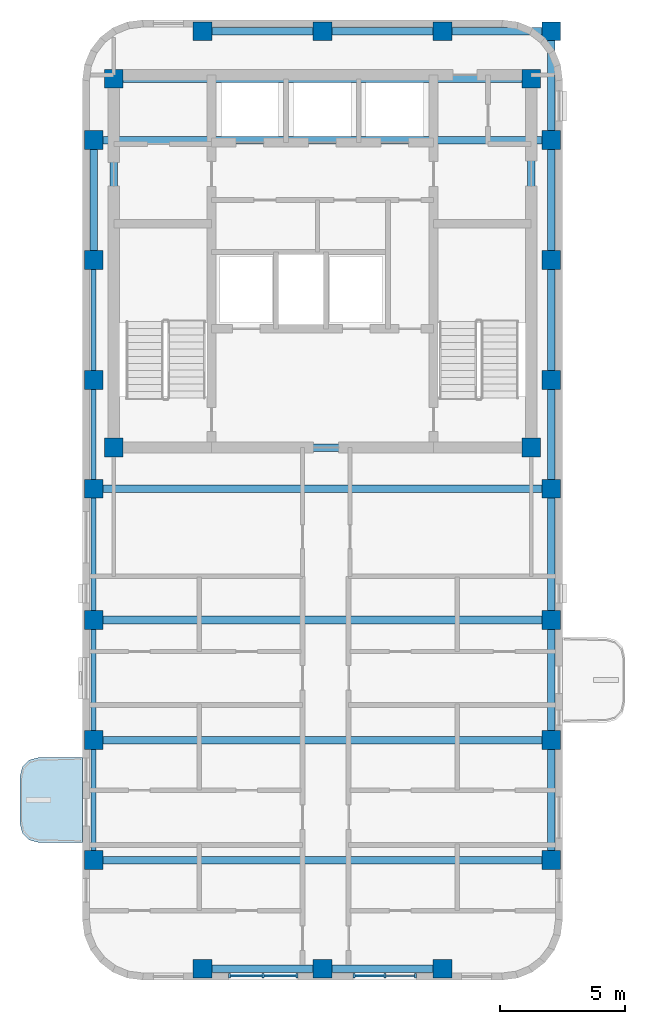
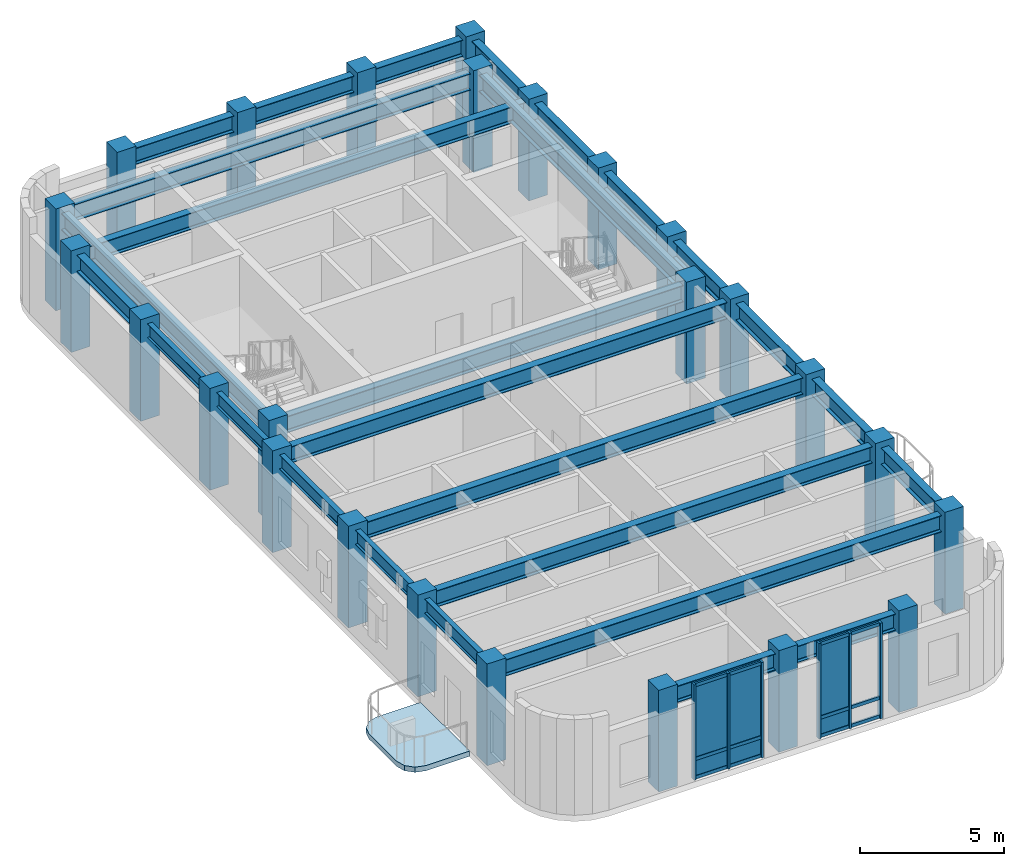
# One storey, part 1 of 6: 27 beams, 25 columns, 18 members, 6 plates, 1 slab, 2 elements without a shape of their own.
"""IFC4 building model written with IfcOpenShell, lengths in metres."""

from ifc_helpers import new_model, si_unit, direction, frame, origin, origin_2d, place, context, subcontext, project, spatial, polyline, rectangle, i_section, outline, extrude, material, layer, layer_set, material_profile, profile_set, type_object, element, aggregate, save


model = new_model("IFC4")

# Units and contexts
model_context = context("Model", 3, precision=1e-05, world=origin(), true_north=direction((0.0, 1.0)))
body_context = subcontext(model_context, "Body", "Model", "MODEL_VIEW")
ifc_project = project(units=[si_unit("LENGTHUNIT", "METRE"), si_unit("AREAUNIT", "SQUARE_METRE"), si_unit("VOLUMEUNIT", "CUBIC_METRE"), si_unit("PLANEANGLEUNIT", "RADIAN"), si_unit("MASSUNIT", "GRAM", prefix="KILO")], contexts=[model_context])

# Site, building, storey
site_placement = place(None, origin())
site = spatial("IfcSite", under=ifc_project, at=site_placement, CompositionType="ELEMENT")
building_placement = place(site_placement, origin())
building = spatial("IfcBuilding", under=site, at=building_placement, Name="Orvandelia Arch Residences", CompositionType="ELEMENT")
storey_placement = place(building_placement, frame((0.0, 0.0, 252.699951171875)))
storey = spatial("IfcBuildingStorey", under=building, at=storey_placement, Name="L66", CompositionType="ELEMENT", Elevation=252.699951171875)

# Columns
ifc_material_1 = material(Name="Concrete C50/60", Category="concrete")
ifc_material_profile_1 = material_profile(ifc_material_1, rectangle(XDim=0.75, YDim=0.75, at=origin_2d()), Name="Concrete C50/60", Category="concrete")
ifc_profile_set_1 = profile_set([ifc_material_profile_1], Name="Concrete C50/60")
column_type = type_object("IfcColumnType", Name="COL-TWR-750", PredefinedType="COLUMN", material=ifc_profile_set_1)
for number, where, z_axis, x_axis, name in (
    (1, (5.25, 14.39990234375, 0.0), (0.0, 0.0, 1.0), (1.0, 0.0, 0.0), "Structural Column L66-W-W-144"),
    (2, (5.25, 19.199951171875, 0.0), (0.0, 0.0, 1.0), (1.0, 0.0, 0.0), "Structural Column L66-W-W-192"),
    (3, (5.25, 24.0, 0.0), (0.0, 0.0, 1.0), (1.0, 0.0, 0.0), "Structural Column L66-W-W-240"),
    (4, (5.25, 29.25, 0.0), (0.0, 0.0, 1.0), (1.0, 0.0, 0.0), "Structural Column L66-W-W-292"),
    (5, (5.25, 33.60009765625, 0.0), (0.0, 0.0, 1.0), (1.0, 0.0, 0.0), "Structural Column L66-W-W-336"),
    (6, (5.25, 38.39990234375, 0.0), (0.0, 0.0, 1.0), (1.0, 0.0, 0.0), "Structural Column L66-W-W-384"),
    (7, (5.25, 43.199951171875, 0.0), (0.0, 0.0, 1.0), (1.0, 0.0, 0.0), "Structural Column L66-W-W-432"),
    (8, (6.050048828125, 30.89990234375, 0.0), (0.0, 0.0, 1.0), (1.0, 0.0, 0.0), "Structural Column L66-CR-SW"),
    (9, (6.050048828125, 45.64990234375, 0.0), (0.0, 0.0, 1.0), (1.0, 0.0, 0.0), "Structural Column L66-CR-NW"),
    (10, (9.60009765625, 10.050048828125, 0.0), (0.0, 0.0, 1.0), (1.0, 0.0, 0.0), "Structural Column L66-W-S-96"),
    (11, (9.60009765625, 47.550048828125, 0.0), (0.0, 0.0, 1.0), (1.0, 0.0, 0.0), "Structural Column L66-W-N-96"),
    (12, (14.39990234375, 10.050048828125, 0.0), (0.0, 0.0, 1.0), (1.0, 0.0, 0.0), "Structural Column L66-W-S-144"),
    (13, (14.39990234375, 47.550048828125, 0.0), (0.0, 0.0, 1.0), (1.0, 0.0, 0.0), "Structural Column L66-W-N-144"),
    (14, (19.199951171875, 10.050048828125, 0.0), (0.0, 0.0, 1.0), (1.0, 0.0, 0.0), "Structural Column L66-W-S-192"),
    (15, (19.199951171875, 47.550048828125, 0.0), (0.0, 0.0, 1.0), (1.0, 0.0, 0.0), "Structural Column L66-W-N-192"),
    (16, (22.75, 30.89990234375, 0.0), (0.0, 0.0, 1.0), (1.0, 0.0, 0.0), "Structural Column L66-CR-SE"),
    (17, (22.75, 45.64990234375, 0.0), (0.0, 0.0, 1.0), (1.0, 0.0, 0.0), "Structural Column L66-CR-NE"),
    (18, (23.550048828125, 14.39990234375, 0.0), (0.0, 0.0, 1.0), (1.0, 0.0, 0.0), "Structural Column L66-W-E-144"),
    (19, (23.550048828125, 19.199951171875, 0.0), (0.0, 0.0, 1.0), (1.0, 0.0, 0.0), "Structural Column L66-W-E-192"),
    (20, (23.550048828125, 24.0, 0.0), (0.0, 0.0, 1.0), (1.0, 0.0, 0.0), "Structural Column L66-W-E-240"),
    (21, (23.550048828125, 29.25, 0.0), (0.0, 0.0, 1.0), (1.0, 0.0, 0.0), "Structural Column L66-W-E-292"),
    (22, (23.550048828125, 33.60009765625, 0.0), (0.0, 0.0, 1.0), (1.0, 0.0, 0.0), "Structural Column L66-W-E-336"),
    (23, (23.550048828125, 38.39990234375, 0.0), (0.0, 0.0, 1.0), (1.0, 0.0, 0.0), "Structural Column L66-W-E-384"),
    (24, (23.550048828125, 43.199951171875, 0.0), (0.0, 0.0, 1.0), (1.0, 0.0, 0.0), "Structural Column L66-W-E-432"),
    (25, (23.550048828125, 47.550048828125, 0.0), (0.0, 0.0, 1.0), (1.0, 0.0, 0.0), "Structural Column L66-W-N-235"),
):
    element("IfcColumn", number, at=place(storey_placement, frame(where, z_axis=z_axis, x_axis=x_axis)), inside=storey, type_object=column_type, Name=name, PredefinedType="COLUMN", context=body_context, shape_type="SweptSolid", body=[
        extrude(rectangle(XDim=0.75, YDim=0.75, at=origin_2d()), origin(), (0.0, 0.0, 1.0), 4.300048828125),
    ])

# Beams
ifc_material_2 = material(Name="Structural Steel SM355 (355 MPa)", Category="steel")
ifc_material_profile_2 = material_profile(ifc_material_2, i_section(OverallWidth=0.300048828125, OverallDepth=0.699951171875, WebThickness=0.012939453125, FlangeThickness=0.02392578125, FilletRadius=0.02392578125, at=origin_2d()), Name="Structural Steel SM355 (355 MPa)", Category="steel")
ifc_profile_set_2 = profile_set([ifc_material_profile_2], Name="Structural Steel SM355 (355 MPa)")
beam_type_1 = type_object("IfcBeamType", Name="BM-GRD-H700", PredefinedType="BEAM", material=ifc_profile_set_2)
beam_1_placement = place(storey_placement, frame((5.25, 38.39990234375, 3.68994140625), z_axis=(0.0, 1.0, 0.0), x_axis=(-1.0, 0.0, 0.0)))
element("IfcBeam", 26, at=beam_1_placement, inside=storey, type_object=beam_type_1, Name="Structural Frame Beam L66-NS-006", PredefinedType="BEAM", context=body_context, shape_type="SweptSolid", body=[
    extrude(i_section(OverallWidth=0.300048828125, OverallDepth=0.699951171875, WebThickness=0.012939453125, FlangeThickness=0.02392578125, FilletRadius=0.02392578125, at=origin_2d()), origin(), (0.0, 0.0, 1.0), 4.800048828125),
])
for number, where, z_axis, x_axis, name in (
    (27, (6.050048828125, 30.89990234375, 3.68994140625), (0.0, 1.0, 0.0), (-1.0, 0.0, 0.0), "Structural Frame Beam L66-NS-007"),
    (28, (22.75, 30.89990234375, 3.68994140625), (0.0, 1.0, 0.0), (-1.0, 0.0, 0.0), "Structural Frame Beam L66-NS-008"),
):
    element("IfcBeam", number, at=place(storey_placement, frame(where, z_axis=z_axis, x_axis=x_axis)), inside=storey, type_object=beam_type_1, Name=name, PredefinedType="BEAM", context=body_context, shape_type="SweptSolid", body=[
        extrude(i_section(OverallWidth=0.300048828125, OverallDepth=0.699951171875, WebThickness=0.012939453125, FlangeThickness=0.02392578125, FilletRadius=0.02392578125, at=origin_2d()), origin(), (0.0, 0.0, 1.0), 14.75),
    ])
for number, where, z_axis, x_axis, name in (
    (29, (23.550048828125, 14.39990234375, 3.68994140625), (0.0, 1.0, 0.0), (-1.0, 0.0, 0.0), "Structural Frame Beam L66-NS-009"),
    (30, (23.550048828125, 19.199951171875, 3.68994140625), (0.0, 1.0, 0.0), (-1.0, 0.0, 0.0), "Structural Frame Beam L66-NS-010"),
):
    element("IfcBeam", number, at=place(storey_placement, frame(where, z_axis=z_axis, x_axis=x_axis)), inside=storey, type_object=beam_type_1, Name=name, PredefinedType="BEAM", context=body_context, shape_type="SweptSolid", body=[
        extrude(i_section(OverallWidth=0.300048828125, OverallDepth=0.699951171875, WebThickness=0.012939453125, FlangeThickness=0.02392578125, FilletRadius=0.02392578125, at=origin_2d()), origin(), (0.0, 0.0, 1.0), 4.800048828125),
    ])
beam_2_placement = place(storey_placement, frame((23.550048828125, 24.0, 3.68994140625), z_axis=(0.0, 1.0, 0.0), x_axis=(-1.0, 0.0, 0.0)))
element("IfcBeam", 31, at=beam_2_placement, inside=storey, type_object=beam_type_1, Name="Structural Frame Beam L66-NS-011", PredefinedType="BEAM", context=body_context, shape_type="SweptSolid", body=[
    extrude(i_section(OverallWidth=0.300048828125, OverallDepth=0.699951171875, WebThickness=0.012939453125, FlangeThickness=0.02392578125, FilletRadius=0.02392578125, at=origin_2d()), origin(), (0.0, 0.0, 1.0), 5.25),
])
beam_3_placement = place(storey_placement, frame((23.550048828125, 29.25, 3.68994140625), z_axis=(0.0, 1.0, 0.0), x_axis=(-1.0, 0.0, 0.0)))
element("IfcBeam", 32, at=beam_3_placement, inside=storey, type_object=beam_type_1, Name="Structural Frame Beam L66-NS-012", PredefinedType="BEAM", context=body_context, shape_type="SweptSolid", body=[
    extrude(i_section(OverallWidth=0.300048828125, OverallDepth=0.699951171875, WebThickness=0.012939453125, FlangeThickness=0.02392578125, FilletRadius=0.02392578125, at=origin_2d()), origin(), (0.0, 0.0, 1.0), 4.35009765625),
])
beam_4_placement = place(storey_placement, frame((23.550048828125, 33.60009765625, 3.68994140625), z_axis=(0.0, 1.0, 0.0), x_axis=(-1.0, 0.0, 0.0)))
element("IfcBeam", 33, at=beam_4_placement, inside=storey, type_object=beam_type_1, Name="Structural Frame Beam L66-NS-013", PredefinedType="BEAM", context=body_context, shape_type="SweptSolid", body=[
    extrude(i_section(OverallWidth=0.300048828125, OverallDepth=0.699951171875, WebThickness=0.012939453125, FlangeThickness=0.02392578125, FilletRadius=0.02392578125, at=origin_2d()), origin(), (0.0, 0.0, 1.0), 4.7998046875),
])
beam_5_placement = place(storey_placement, frame((23.550048828125, 38.39990234375, 3.68994140625), z_axis=(0.0, 1.0, 0.0), x_axis=(-1.0, 0.0, 0.0)))
element("IfcBeam", 34, at=beam_5_placement, inside=storey, type_object=beam_type_1, Name="Structural Frame Beam L66-NS-014", PredefinedType="BEAM", context=body_context, shape_type="SweptSolid", body=[
    extrude(i_section(OverallWidth=0.300048828125, OverallDepth=0.699951171875, WebThickness=0.012939453125, FlangeThickness=0.02392578125, FilletRadius=0.02392578125, at=origin_2d()), origin(), (0.0, 0.0, 1.0), 4.800048828125),
])
beam_6_placement = place(storey_placement, frame((23.550048828125, 43.199951171875, 3.68994140625), z_axis=(0.0, 1.0, 0.0), x_axis=(-1.0, 0.0, 0.0)))
element("IfcBeam", 35, at=beam_6_placement, inside=storey, type_object=beam_type_1, Name="Structural Frame Beam L66-NS-015", PredefinedType="BEAM", context=body_context, shape_type="SweptSolid", body=[
    extrude(i_section(OverallWidth=0.300048828125, OverallDepth=0.699951171875, WebThickness=0.012939453125, FlangeThickness=0.02392578125, FilletRadius=0.02392578125, at=origin_2d()), origin(), (0.0, 0.0, 1.0), 4.35009765625),
])
beam_7_placement = place(storey_placement, frame((9.60009765625, 10.050048828125, 3.68994140625), z_axis=(1.0, 0.0, 0.0), x_axis=(0.0, 1.0, 0.0)))
element("IfcBeam", 36, at=beam_7_placement, inside=storey, type_object=beam_type_1, Name="Structural Frame Girder L66-EW-016", PredefinedType="BEAM", context=body_context, shape_type="SweptSolid", body=[
    extrude(i_section(OverallWidth=0.300048828125, OverallDepth=0.699951171875, WebThickness=0.012939453125, FlangeThickness=0.02392578125, FilletRadius=0.02392578125, at=origin_2d()), origin(), (0.0, 0.0, 1.0), 4.7998046875),
])
beam_8_placement = place(storey_placement, frame((14.39990234375, 10.050048828125, 3.68994140625), z_axis=(1.0, 0.0, 0.0), x_axis=(0.0, 1.0, 0.0)))
element("IfcBeam", 37, at=beam_8_placement, inside=storey, type_object=beam_type_1, Name="Structural Frame Girder L66-EW-017", PredefinedType="BEAM", context=body_context, shape_type="SweptSolid", body=[
    extrude(i_section(OverallWidth=0.300048828125, OverallDepth=0.699951171875, WebThickness=0.012939453125, FlangeThickness=0.02392578125, FilletRadius=0.02392578125, at=origin_2d()), origin(), (0.0, 0.0, 1.0), 4.800048828125),
])
for number, where, z_axis, x_axis, name in (
    (38, (5.25, 14.39990234375, 3.68994140625), (1.0, 0.0, 0.0), (0.0, 1.0, 0.0), "Structural Frame Girder L66-EW-018"),
    (39, (5.25, 19.199951171875, 3.68994140625), (1.0, 0.0, 0.0), (0.0, 1.0, 0.0), "Structural Frame Girder L66-EW-019"),
    (40, (5.25, 24.0, 3.68994140625), (1.0, 0.0, 0.0), (0.0, 1.0, 0.0), "Structural Frame Girder L66-EW-020"),
    (41, (5.25, 29.25, 3.68994140625), (1.0, 0.0, 0.0), (0.0, 1.0, 0.0), "Structural Frame Girder L66-EW-021"),
):
    element("IfcBeam", number, at=place(storey_placement, frame(where, z_axis=z_axis, x_axis=x_axis)), inside=storey, type_object=beam_type_1, Name=name, PredefinedType="BEAM", context=body_context, shape_type="SweptSolid", body=[
        extrude(i_section(OverallWidth=0.300048828125, OverallDepth=0.699951171875, WebThickness=0.012939453125, FlangeThickness=0.02392578125, FilletRadius=0.02392578125, at=origin_2d()), origin(), (0.0, 0.0, 1.0), 18.300048828125),
    ])
beam_9_placement = place(storey_placement, frame((6.050048828125, 30.89990234375, 3.68994140625), z_axis=(1.0, 0.0, 0.0), x_axis=(0.0, 1.0, 0.0)))
element("IfcBeam", 42, at=beam_9_placement, inside=storey, type_object=beam_type_1, Name="Structural Frame Girder L66-EW-022", PredefinedType="BEAM", context=body_context, shape_type="SweptSolid", body=[
    extrude(i_section(OverallWidth=0.300048828125, OverallDepth=0.699951171875, WebThickness=0.012939453125, FlangeThickness=0.02392578125, FilletRadius=0.02392578125, at=origin_2d()), origin(), (0.0, 0.0, 1.0), 16.699951171875),
])
beam_10_placement = place(storey_placement, frame((5.25, 43.199951171875, 3.68994140625), z_axis=(1.0, 0.0, 0.0), x_axis=(0.0, 1.0, 0.0)))
element("IfcBeam", 43, at=beam_10_placement, inside=storey, type_object=beam_type_1, Name="Structural Frame Girder L66-EW-025", PredefinedType="BEAM", context=body_context, shape_type="SweptSolid", body=[
    extrude(i_section(OverallWidth=0.300048828125, OverallDepth=0.699951171875, WebThickness=0.012939453125, FlangeThickness=0.02392578125, FilletRadius=0.02392578125, at=origin_2d()), origin(), (0.0, 0.0, 1.0), 18.300048828125),
])
beam_11_placement = place(storey_placement, frame((6.050048828125, 45.64990234375, 3.68994140625), z_axis=(1.0, 0.0, 0.0), x_axis=(0.0, 1.0, 0.0)))
element("IfcBeam", 44, at=beam_11_placement, inside=storey, type_object=beam_type_1, Name="Structural Frame Girder L66-EW-026", PredefinedType="BEAM", context=body_context, shape_type="SweptSolid", body=[
    extrude(i_section(OverallWidth=0.300048828125, OverallDepth=0.699951171875, WebThickness=0.012939453125, FlangeThickness=0.02392578125, FilletRadius=0.02392578125, at=origin_2d()), origin(), (0.0, 0.0, 1.0), 16.699951171875),
])
beam_12_placement = place(storey_placement, frame((9.60009765625, 47.550048828125, 3.68994140625), z_axis=(1.0, 0.0, 0.0), x_axis=(0.0, 1.0, 0.0)))
element("IfcBeam", 45, at=beam_12_placement, inside=storey, type_object=beam_type_1, Name="Structural Frame Girder L66-EW-027", PredefinedType="BEAM", context=body_context, shape_type="SweptSolid", body=[
    extrude(i_section(OverallWidth=0.300048828125, OverallDepth=0.699951171875, WebThickness=0.012939453125, FlangeThickness=0.02392578125, FilletRadius=0.02392578125, at=origin_2d()), origin(), (0.0, 0.0, 1.0), 4.7998046875),
])
beam_13_placement = place(storey_placement, frame((14.39990234375, 47.550048828125, 3.68994140625), z_axis=(1.0, 0.0, 0.0), x_axis=(0.0, 1.0, 0.0)))
element("IfcBeam", 46, at=beam_13_placement, inside=storey, type_object=beam_type_1, Name="Structural Frame Girder L66-EW-028", PredefinedType="BEAM", context=body_context, shape_type="SweptSolid", body=[
    extrude(i_section(OverallWidth=0.300048828125, OverallDepth=0.699951171875, WebThickness=0.012939453125, FlangeThickness=0.02392578125, FilletRadius=0.02392578125, at=origin_2d()), origin(), (0.0, 0.0, 1.0), 4.800048828125),
])
beam_14_placement = place(storey_placement, frame((19.199951171875, 47.550048828125, 3.68994140625), z_axis=(1.0, 0.0, 0.0), x_axis=(0.0, 1.0, 0.0)))
element("IfcBeam", 47, at=beam_14_placement, inside=storey, type_object=beam_type_1, Name="Structural Frame Girder L66-EW-029", PredefinedType="BEAM", context=body_context, shape_type="SweptSolid", body=[
    extrude(i_section(OverallWidth=0.300048828125, OverallDepth=0.699951171875, WebThickness=0.012939453125, FlangeThickness=0.02392578125, FilletRadius=0.02392578125, at=origin_2d()), origin(), (0.0, 0.0, 1.0), 4.35009765625),
])
ifc_material_profile_3 = material_profile(ifc_material_2, i_section(OverallWidth=0.199951171875, OverallDepth=0.60009765625, WebThickness=0.010986328125, FlangeThickness=0.01708984375, FilletRadius=0.02197265625, at=origin_2d()), Name="Structural Steel SM355 (355 MPa)", Category="steel")
ifc_profile_set_3 = profile_set([ifc_material_profile_3], Name="Structural Steel SM355 (355 MPa)")
beam_type_2 = type_object("IfcBeamType", Name="BM-SPN-H600", PredefinedType="SPANDREL", material=ifc_profile_set_3)
for number, where, z_axis, x_axis, name in (
    (48, (5.25, 14.39990234375, 3.739990234375), (0.0, 1.0, 0.0), (-1.0, 0.0, 0.0), "Structural Frame Beam L66-NS-001"),
    (49, (5.25, 19.199951171875, 3.739990234375), (0.0, 1.0, 0.0), (-1.0, 0.0, 0.0), "Structural Frame Beam L66-NS-002"),
):
    element("IfcBeam", number, at=place(storey_placement, frame(where, z_axis=z_axis, x_axis=x_axis)), inside=storey, type_object=beam_type_2, Name=name, PredefinedType="SPANDREL", context=body_context, shape_type="SweptSolid", body=[
        extrude(i_section(OverallWidth=0.199951171875, OverallDepth=0.60009765625, WebThickness=0.010986328125, FlangeThickness=0.01708984375, FilletRadius=0.02197265625, at=origin_2d()), origin(), (0.0, 0.0, 1.0), 4.800048828125),
    ])
beam_15_placement = place(storey_placement, frame((5.25, 24.0, 3.739990234375), z_axis=(0.0, 1.0, 0.0), x_axis=(-1.0, 0.0, 0.0)))
element("IfcBeam", 50, at=beam_15_placement, inside=storey, type_object=beam_type_2, Name="Structural Frame Beam L66-NS-003", PredefinedType="SPANDREL", context=body_context, shape_type="SweptSolid", body=[
    extrude(i_section(OverallWidth=0.199951171875, OverallDepth=0.60009765625, WebThickness=0.010986328125, FlangeThickness=0.01708984375, FilletRadius=0.02197265625, at=origin_2d()), origin(), (0.0, 0.0, 1.0), 5.25),
])
beam_16_placement = place(storey_placement, frame((5.25, 29.25, 3.739990234375), z_axis=(0.0, 1.0, 0.0), x_axis=(-1.0, 0.0, 0.0)))
element("IfcBeam", 51, at=beam_16_placement, inside=storey, type_object=beam_type_2, Name="Structural Frame Beam L66-NS-004", PredefinedType="SPANDREL", context=body_context, shape_type="SweptSolid", body=[
    extrude(i_section(OverallWidth=0.199951171875, OverallDepth=0.60009765625, WebThickness=0.010986328125, FlangeThickness=0.01708984375, FilletRadius=0.02197265625, at=origin_2d()), origin(), (0.0, 0.0, 1.0), 4.35009765625),
])
beam_17_placement = place(storey_placement, frame((5.25, 33.60009765625, 3.739990234375), z_axis=(0.0, 1.0, 0.0), x_axis=(-1.0, 0.0, 0.0)))
element("IfcBeam", 52, at=beam_17_placement, inside=storey, type_object=beam_type_2, Name="Structural Frame Beam L66-NS-005", PredefinedType="SPANDREL", context=body_context, shape_type="SweptSolid", body=[
    extrude(i_section(OverallWidth=0.199951171875, OverallDepth=0.60009765625, WebThickness=0.010986328125, FlangeThickness=0.01708984375, FilletRadius=0.02197265625, at=origin_2d()), origin(), (0.0, 0.0, 1.0), 4.7998046875),
])

# Curtain wall, members
ifc_material_3 = material(Name="Anodised Bronze Curtain Wall Assembly")
curtain_wall_type = type_object("IfcCurtainWallType", Name="CW-SYS5-CORNER", PredefinedType="NOTDEFINED", material=ifc_material_3)
curtain_wall_1_placement = place(storey_placement, origin())
curtain_wall_1 = element("IfcCurtainWall", 53, at=curtain_wall_1_placement, inside=storey, type_object=curtain_wall_type, Name="Feature Bay Winter-Garden Curtain Wall L66 1", PredefinedType="NOTDEFINED")
ifc_material_4 = material(Name="Anodised Aluminium Alloy 6063-T6", Category="aluminium")
ifc_material_profile_4 = material_profile(ifc_material_4, rectangle(XDim=0.080078125, YDim=0.179931640625, at=origin_2d()), Name="Anodised Aluminium Alloy 6063-T6", Category="aluminium")
ifc_profile_set_4 = profile_set([ifc_material_profile_4], Name="Anodised Aluminium Alloy 6063-T6")
member_type_1 = type_object("IfcMemberType", Name="CW-MULLION-80x160", PredefinedType="MULLION", material=ifc_profile_set_4)
member_1_placement = place(storey_placement, frame((10.679931640625, 9.760009765625, 0.0), z_axis=(0.0, 0.0, 1.0), x_axis=(1.0, 0.0, 0.0)))
member_1 = element("IfcMember", 54, at=member_1_placement, type_object=member_type_1, Name="Curtain Wall Mullion CW-L66-1-M1", PredefinedType="MULLION", context=body_context, shape_type="SweptSolid", body=[
    extrude(rectangle(XDim=0.080078125, YDim=0.179931640625, at=origin_2d()), origin(), (0.0, 0.0, 1.0), 4.0400390625),
])
member_2_placement = place(storey_placement, frame((12.030029296875, 9.760009765625, 0.0), z_axis=(0.0, 0.0, 1.0), x_axis=(1.0, 0.0, 0.0)))
member_2 = element("IfcMember", 55, at=member_2_placement, type_object=member_type_1, Name="Curtain Wall Mullion CW-L66-1-M2", PredefinedType="MULLION", context=body_context, shape_type="SweptSolid", body=[
    extrude(rectangle(XDim=0.080078125, YDim=0.179931640625, at=origin_2d()), origin(), (0.0, 0.0, 1.0), 4.0400390625),
])
member_3_placement = place(storey_placement, frame((13.3798828125, 9.760009765625, 0.0), z_axis=(0.0, 0.0, 1.0), x_axis=(1.0, 0.0, 0.0)))
member_3 = element("IfcMember", 56, at=member_3_placement, type_object=member_type_1, Name="Curtain Wall Mullion CW-L66-1-M3", PredefinedType="MULLION", context=body_context, shape_type="SweptSolid", body=[
    extrude(rectangle(XDim=0.080078125, YDim=0.179931640625, at=origin_2d()), origin(), (0.0, 0.0, 1.0), 4.0400390625),
])

curtain_wall_2_placement = place(storey_placement, origin())
curtain_wall_2 = element("IfcCurtainWall", 57, at=curtain_wall_2_placement, inside=storey, type_object=curtain_wall_type, Name="Feature Bay Winter-Garden Curtain Wall L66 2", PredefinedType="NOTDEFINED")
member_4_placement = place(storey_placement, frame((15.669921875, 9.760009765625, 0.0), z_axis=(0.0, 0.0, 1.0), x_axis=(1.0, 0.0, 0.0)))
member_4 = element("IfcMember", 58, at=member_4_placement, type_object=member_type_1, Name="Curtain Wall Mullion CW-L66-2-M1", PredefinedType="MULLION", context=body_context, shape_type="SweptSolid", body=[
    extrude(rectangle(XDim=0.080078125, YDim=0.179931640625, at=origin_2d()), origin(), (0.0, 0.0, 1.0), 4.0400390625),
])
member_5_placement = place(storey_placement, frame((16.89501953125, 9.760009765625, 0.0), z_axis=(0.0, 0.0, 1.0), x_axis=(1.0, 0.0, 0.0)))
member_5 = element("IfcMember", 59, at=member_5_placement, type_object=member_type_1, Name="Curtain Wall Mullion CW-L66-2-M2", PredefinedType="MULLION", context=body_context, shape_type="SweptSolid", body=[
    extrude(rectangle(XDim=0.080078125, YDim=0.179931640625, at=origin_2d()), origin(), (0.0, 0.0, 1.0), 4.0400390625),
])
member_6_placement = place(storey_placement, frame((18.1201171875, 9.760009765625, 0.0), z_axis=(0.0, 0.0, 1.0), x_axis=(1.0, 0.0, 0.0)))
member_6 = element("IfcMember", 60, at=member_6_placement, type_object=member_type_1, Name="Curtain Wall Mullion CW-L66-2-M3", PredefinedType="MULLION", context=body_context, shape_type="SweptSolid", body=[
    extrude(rectangle(XDim=0.080078125, YDim=0.179931640625, at=origin_2d()), origin(), (0.0, 0.0, 1.0), 4.0400390625),
])

# Member
ifc_material_profile_5 = material_profile(ifc_material_4, rectangle(XDim=0.080078125, YDim=0.139892578125, at=origin_2d()), Name="Anodised Aluminium Alloy 6063-T6", Category="aluminium")
ifc_profile_set_5 = profile_set([ifc_material_profile_5], Name="Anodised Aluminium Alloy 6063-T6")
member_type_2 = type_object("IfcMemberType", Name="CW-TRANSOM-80x140", PredefinedType="USERDEFINED", material=ifc_profile_set_5)
member_7_placement = place(storey_placement, frame((10.705078125, 9.760009765625, 0.070068359375), z_axis=(1.0, 0.0, 0.0), x_axis=(0.0, 1.0, 0.0)))
member_7 = element("IfcMember", 61, at=member_7_placement, type_object=member_type_2, Name="Curtain Wall Transom CW-L66-1-T1-1", ObjectType="TRANSOM", PredefinedType="USERDEFINED", context=body_context, shape_type="SweptSolid", body=[
    extrude(rectangle(XDim=0.080078125, YDim=0.139892578125, at=origin_2d()), origin(), (0.0, 0.0, 1.0), 1.2998046875),
])

member_8_placement = place(storey_placement, frame((10.705078125, 9.760009765625, 0.85009765625), z_axis=(1.0, 0.0, 0.0), x_axis=(0.0, 1.0, 0.0)))
member_8 = element("IfcMember", 62, at=member_8_placement, type_object=member_type_2, Name="Curtain Wall Transom CW-L66-1-T1-2", ObjectType="TRANSOM", PredefinedType="USERDEFINED", context=body_context, shape_type="SweptSolid", body=[
    extrude(rectangle(XDim=0.080078125, YDim=0.139892578125, at=origin_2d()), origin(), (0.0, 0.0, 1.0), 1.2998046875),
])

member_9_placement = place(storey_placement, frame((10.705078125, 9.760009765625, 3.969970703125), z_axis=(1.0, 0.0, 0.0), x_axis=(0.0, 1.0, 0.0)))
member_9 = element("IfcMember", 63, at=member_9_placement, type_object=member_type_2, Name="Curtain Wall Transom CW-L66-1-T1-3", ObjectType="TRANSOM", PredefinedType="USERDEFINED", context=body_context, shape_type="SweptSolid", body=[
    extrude(rectangle(XDim=0.080078125, YDim=0.139892578125, at=origin_2d()), origin(), (0.0, 0.0, 1.0), 1.2998046875),
])

member_10_placement = place(storey_placement, frame((12.054931640625, 9.760009765625, 0.070068359375), z_axis=(1.0, 0.0, 0.0), x_axis=(0.0, 1.0, 0.0)))
member_10 = element("IfcMember", 64, at=member_10_placement, type_object=member_type_2, Name="Curtain Wall Transom CW-L66-1-T2-1", ObjectType="TRANSOM", PredefinedType="USERDEFINED", context=body_context, shape_type="SweptSolid", body=[
    extrude(rectangle(XDim=0.080078125, YDim=0.139892578125, at=origin_2d()), origin(), (0.0, 0.0, 1.0), 1.300048828125),
])

member_11_placement = place(storey_placement, frame((12.054931640625, 9.760009765625, 0.85009765625), z_axis=(1.0, 0.0, 0.0), x_axis=(0.0, 1.0, 0.0)))
member_11 = element("IfcMember", 65, at=member_11_placement, type_object=member_type_2, Name="Curtain Wall Transom CW-L66-1-T2-2", ObjectType="TRANSOM", PredefinedType="USERDEFINED", context=body_context, shape_type="SweptSolid", body=[
    extrude(rectangle(XDim=0.080078125, YDim=0.139892578125, at=origin_2d()), origin(), (0.0, 0.0, 1.0), 1.300048828125),
])

member_12_placement = place(storey_placement, frame((12.054931640625, 9.760009765625, 3.969970703125), z_axis=(1.0, 0.0, 0.0), x_axis=(0.0, 1.0, 0.0)))
member_12 = element("IfcMember", 66, at=member_12_placement, type_object=member_type_2, Name="Curtain Wall Transom CW-L66-1-T2-3", ObjectType="TRANSOM", PredefinedType="USERDEFINED", context=body_context, shape_type="SweptSolid", body=[
    extrude(rectangle(XDim=0.080078125, YDim=0.139892578125, at=origin_2d()), origin(), (0.0, 0.0, 1.0), 1.300048828125),
])

member_13_placement = place(storey_placement, frame((15.695068359375, 9.760009765625, 0.070068359375), z_axis=(1.0, 0.0, 0.0), x_axis=(0.0, 1.0, 0.0)))
member_13 = element("IfcMember", 67, at=member_13_placement, type_object=member_type_2, Name="Curtain Wall Transom CW-L66-2-T1-1", ObjectType="TRANSOM", PredefinedType="USERDEFINED", context=body_context, shape_type="SweptSolid", body=[
    extrude(rectangle(XDim=0.080078125, YDim=0.139892578125, at=origin_2d()), origin(), (0.0, 0.0, 1.0), 1.175048828125),
])

member_14_placement = place(storey_placement, frame((15.695068359375, 9.760009765625, 0.85009765625), z_axis=(1.0, 0.0, 0.0), x_axis=(0.0, 1.0, 0.0)))
member_14 = element("IfcMember", 68, at=member_14_placement, type_object=member_type_2, Name="Curtain Wall Transom CW-L66-2-T1-2", ObjectType="TRANSOM", PredefinedType="USERDEFINED", context=body_context, shape_type="SweptSolid", body=[
    extrude(rectangle(XDim=0.080078125, YDim=0.139892578125, at=origin_2d()), origin(), (0.0, 0.0, 1.0), 1.175048828125),
])

member_15_placement = place(storey_placement, frame((15.695068359375, 9.760009765625, 3.969970703125), z_axis=(1.0, 0.0, 0.0), x_axis=(0.0, 1.0, 0.0)))
member_15 = element("IfcMember", 69, at=member_15_placement, type_object=member_type_2, Name="Curtain Wall Transom CW-L66-2-T1-3", ObjectType="TRANSOM", PredefinedType="USERDEFINED", context=body_context, shape_type="SweptSolid", body=[
    extrude(rectangle(XDim=0.080078125, YDim=0.139892578125, at=origin_2d()), origin(), (0.0, 0.0, 1.0), 1.175048828125),
])

member_16_placement = place(storey_placement, frame((16.919921875, 9.760009765625, 0.070068359375), z_axis=(1.0, 0.0, 0.0), x_axis=(0.0, 1.0, 0.0)))
member_16 = element("IfcMember", 70, at=member_16_placement, type_object=member_type_2, Name="Curtain Wall Transom CW-L66-2-T2-1", ObjectType="TRANSOM", PredefinedType="USERDEFINED", context=body_context, shape_type="SweptSolid", body=[
    extrude(rectangle(XDim=0.080078125, YDim=0.139892578125, at=origin_2d()), origin(), (0.0, 0.0, 1.0), 1.175048828125),
])

member_17_placement = place(storey_placement, frame((16.919921875, 9.760009765625, 0.85009765625), z_axis=(1.0, 0.0, 0.0), x_axis=(0.0, 1.0, 0.0)))
member_17 = element("IfcMember", 71, at=member_17_placement, type_object=member_type_2, Name="Curtain Wall Transom CW-L66-2-T2-2", ObjectType="TRANSOM", PredefinedType="USERDEFINED", context=body_context, shape_type="SweptSolid", body=[
    extrude(rectangle(XDim=0.080078125, YDim=0.139892578125, at=origin_2d()), origin(), (0.0, 0.0, 1.0), 1.175048828125),
])

member_18_placement = place(storey_placement, frame((16.919921875, 9.760009765625, 3.969970703125), z_axis=(1.0, 0.0, 0.0), x_axis=(0.0, 1.0, 0.0)))
member_18 = element("IfcMember", 72, at=member_18_placement, type_object=member_type_2, Name="Curtain Wall Transom CW-L66-2-T2-3", ObjectType="TRANSOM", PredefinedType="USERDEFINED", context=body_context, shape_type="SweptSolid", body=[
    extrude(rectangle(XDim=0.080078125, YDim=0.139892578125, at=origin_2d()), origin(), (0.0, 0.0, 1.0), 1.175048828125),
])

# Plate
ifc_material_5 = material(Name="Insulated Bronze Aluminium Spandrel Panel", Category="aluminium")
ifc_layer_1 = layer(ifc_material_5, 0.0400390625, Name="Insulated Bronze Aluminium Spandrel Panel", Category="aluminium")
ifc_layer_set_1 = layer_set([ifc_layer_1], Name="Insulated Bronze Aluminium Spandrel Panel")
plate_type_1 = type_object("IfcPlateType", Name="CW-PANEL-SPANDREL", PredefinedType="SHEET", material=ifc_layer_set_1)
plate_1_placement = place(storey_placement, frame((11.35498046875, 9.760009765625, 0.125), z_axis=(0.0, 0.0, 1.0), x_axis=(1.0, 0.0, 0.0)))
plate_1 = element("IfcPlate", 73, at=plate_1_placement, type_object=plate_type_1, Name="Curtain Wall Spandrel Panel CW-L66-1-PS1", PredefinedType="SHEET", context=body_context, shape_type="SweptSolid", body=[
    extrude(rectangle(XDim=1.300048828125, YDim=0.0400390625, at=origin_2d()), origin(), (0.0, 0.0, 1.0), 0.669921875),
])

plate_2_placement = place(storey_placement, frame((12.705078125, 9.760009765625, 0.125), z_axis=(0.0, 0.0, 1.0), x_axis=(1.0, 0.0, 0.0)))
plate_2 = element("IfcPlate", 74, at=plate_2_placement, type_object=plate_type_1, Name="Curtain Wall Spandrel Panel CW-L66-1-PS2", PredefinedType="SHEET", context=body_context, shape_type="SweptSolid", body=[
    extrude(rectangle(XDim=1.300048828125, YDim=0.0400390625, at=origin_2d()), origin(), (0.0, 0.0, 1.0), 0.669921875),
])

plate_3_placement = place(storey_placement, frame((16.282470703125, 9.760009765625, 0.125), z_axis=(0.0, 0.0, 1.0), x_axis=(1.0, 0.0, 0.0)))
plate_3 = element("IfcPlate", 75, at=plate_3_placement, type_object=plate_type_1, Name="Curtain Wall Spandrel Panel CW-L66-2-PS1", PredefinedType="SHEET", context=body_context, shape_type="SweptSolid", body=[
    extrude(rectangle(XDim=1.175048828125, YDim=0.0400390625, at=origin_2d()), origin(), (0.0, 0.0, 1.0), 0.669921875),
])

ifc_material_6 = material(Name="Low-E Laminated Double Glazing", Category="glass")
ifc_layer_2 = layer(ifc_material_6, 0.031982421875, Name="Low-E Laminated Double Glazing", Category="glass")
ifc_layer_set_2 = layer_set([ifc_layer_2], Name="Low-E Laminated Double Glazing")
plate_type_2 = type_object("IfcPlateType", Name="CW-PANEL-VISION", PredefinedType="CURTAIN_PANEL", material=ifc_layer_set_2)
plate_4_placement = place(storey_placement, frame((11.35498046875, 9.760009765625, 0.9052734375), z_axis=(0.0, 0.0, 1.0), x_axis=(1.0, 0.0, 0.0)))
plate_4 = element("IfcPlate", 76, at=plate_4_placement, type_object=plate_type_2, Name="Curtain Wall Vision Glass Panel CW-L66-1-PV1", PredefinedType="CURTAIN_PANEL", context=body_context, shape_type="SweptSolid", body=[
    extrude(rectangle(XDim=1.300048828125, YDim=0.031982421875, at=origin_2d()), origin(), (0.0, 0.0, 1.0), 3.010009765625),
])

plate_5_placement = place(storey_placement, frame((12.705078125, 9.760009765625, 0.9052734375), z_axis=(0.0, 0.0, 1.0), x_axis=(1.0, 0.0, 0.0)))
plate_5 = element("IfcPlate", 77, at=plate_5_placement, type_object=plate_type_2, Name="Curtain Wall Vision Glass Panel CW-L66-1-PV2", PredefinedType="CURTAIN_PANEL", context=body_context, shape_type="SweptSolid", body=[
    extrude(rectangle(XDim=1.300048828125, YDim=0.031982421875, at=origin_2d()), origin(), (0.0, 0.0, 1.0), 3.010009765625),
])

aggregate(curtain_wall_1, [member_1, member_2, member_3, member_7, member_8, member_9, plate_1, plate_4, member_10, member_11, member_12, plate_2, plate_5])

plate_6_placement = place(storey_placement, frame((16.282470703125, 9.760009765625, 0.9052734375), z_axis=(0.0, 0.0, 1.0), x_axis=(1.0, 0.0, 0.0)))
plate_6 = element("IfcPlate", 78, at=plate_6_placement, type_object=plate_type_2, Name="Curtain Wall Vision Glass Panel CW-L66-2-PV1", PredefinedType="CURTAIN_PANEL", context=body_context, shape_type="SweptSolid", body=[
    extrude(rectangle(XDim=1.175048828125, YDim=0.031982421875, at=origin_2d()), origin(), (0.0, 0.0, 1.0), 3.010009765625),
])

aggregate(curtain_wall_2, [member_4, member_5, member_6, member_13, member_14, member_15, plate_3, plate_6, member_16, member_17, member_18])

# Slab
ifc_material_7 = material(Name="Precast concrete C40/50", Category="concrete")
ifc_layer_3 = layer(ifc_material_7, 0.219970703125, Name="Precast concrete C40/50", Category="concrete")
ifc_layer_set_3 = layer_set([ifc_layer_3], Name="Precast concrete C40/50")
slab_type = type_object("IfcSlabType", Name="SLB-BAL-220", PredefinedType="USERDEFINED", material=ifc_layer_set_3)
slab_placement = place(storey_placement, frame((0.0, 0.0, -0.219970703125)))
element("IfcSlab", 79, at=slab_placement, inside=storey, type_object=slab_type, Name="Tree Balcony Cantilever Slab BAL-L66-W1", ObjectType="BALCONY", PredefinedType="USERDEFINED", context=body_context, shape_type="SweptSolid", body=[
    extrude(outline(polyline([(4.800048828125, 15.10009765625), (4.800048828125, 18.5), (3.050048828125, 18.5), (2.675048828125, 18.3994140625), (2.400390625, 18.125), (2.300048828125, 17.75), (2.300048828125, 15.85009765625), (2.400390625, 15.47509765625), (2.675048828125, 15.200439453125), (3.050048828125, 15.10009765625), (4.800048828125, 15.10009765625)])), origin(), (0.0, 0.0, 1.0), 0.219970703125),
])

save(model, "model.ifc")
